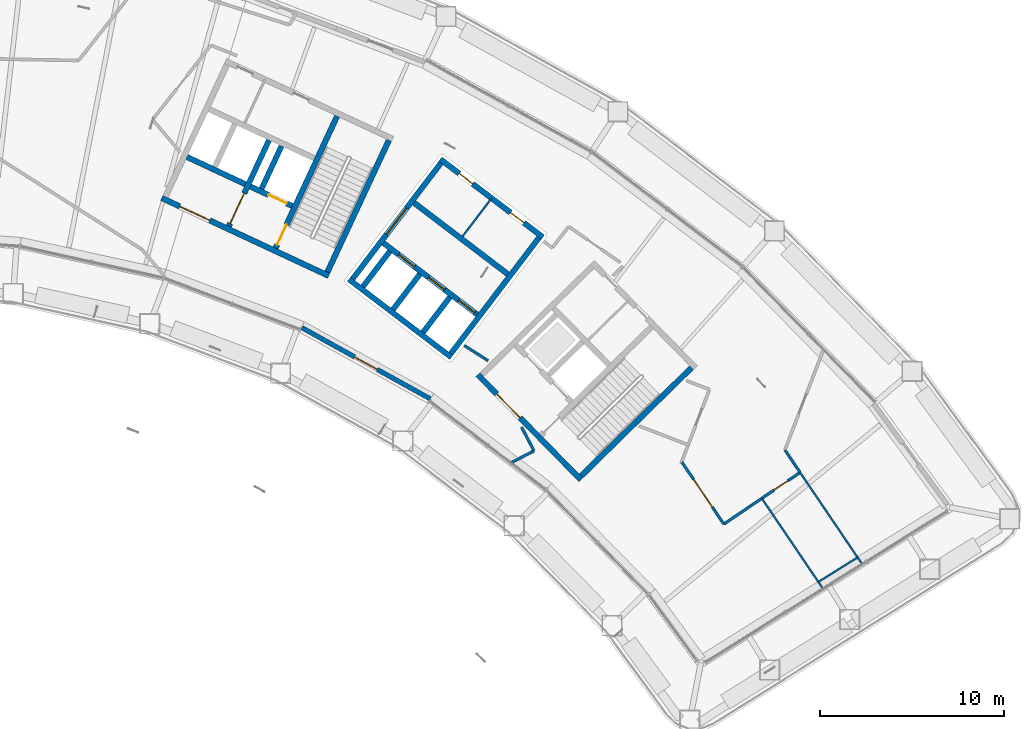
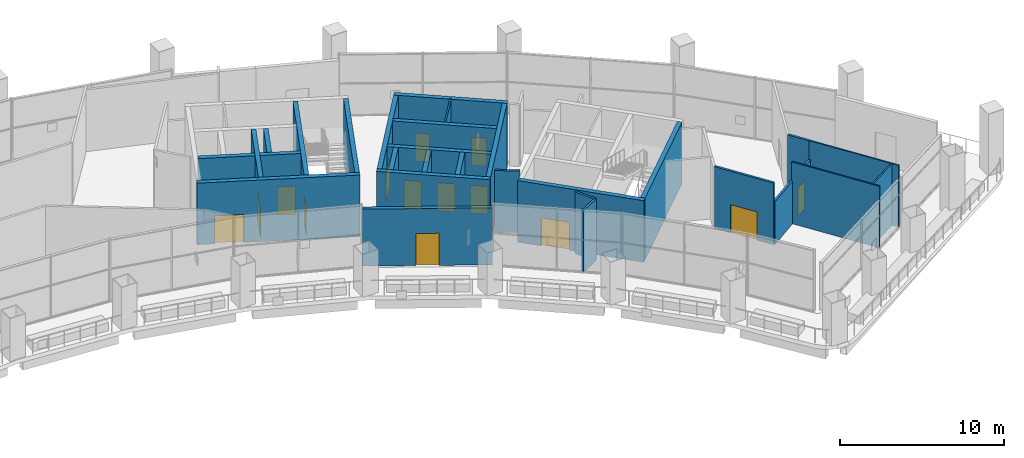
# One storey, part 18 of 28: 29 walls, 14 doors, 14 openings.
"""IFC4 building model written with IfcOpenShell, lengths in metres."""

import ifcopenshell
import ifcopenshell.guid

model = None  # the IFC model being written
_history = None  # IfcOwnerHistory: only IFC2X3 demands one
_inside = {}  # id of a spatial element -> (the spatial element, [elements in it])
_under = {}  # id of a project, library or spatial element -> (it, [spatial elements below it])
_declared = {}  # id of a project -> (the project, [libraries it declares])
_typed = {}  # id of a type object -> (the type object, [elements of that type])
_made_of = {}  # id of a material, layer set ... -> (it, [elements and type objects made of it])


def new_model(schema):
    """Start an empty IFC model of exactly this schema.

    Asked for "IFC4X3", IfcOpenShell would pick the latest addendum, in which some entities
    have other attributes; the version numbers below select the first issue.
    IFC2X3 requires an IfcOwnerHistory on every rooted entity: one is made here for all.
    """
    global model, _history
    if schema == "IFC4X3":
        model = ifcopenshell.file(schema_version=(4, 3, 0, 0))
    else:
        model = ifcopenshell.file(schema=schema)
    _inside.clear()
    _under.clear()
    _declared.clear()
    _typed.clear()
    _made_of.clear()
    _history = None
    if model.schema == "IFC2X3":
        org = make("IfcOrganization", Name="unknown")
        user = make(
            "IfcPersonAndOrganization",
            ThePerson=make("IfcPerson", FamilyName="unknown"),
            TheOrganization=org,
        )
        app = make(
            "IfcApplication",
            ApplicationDeveloper=org,
            Version="unknown",
            ApplicationFullName="unknown",
            ApplicationIdentifier="unknown",
        )
        _history = make(
            "IfcOwnerHistory",
            OwningUser=user,
            OwningApplication=app,
            ChangeAction="ADDED",
            CreationDate=0,
        )
    return model


def make(cls, **values):
    """One entity of the class cls with the attributes given. An attribute that is None is left unset."""
    return model.create_entity(
        cls, **{name: value for name, value in values.items() if value is not None}
    )


def rooted(cls, **values):
    """An entity with a GlobalId (a new one), such as an element, a storey or a relation."""
    return make(cls, GlobalId=ifcopenshell.guid.new(), OwnerHistory=_history, **values)


def si_unit(unit_type, name, prefix=None):
    """IfcSIUnit, for example si_unit("LENGTHUNIT", "METRE", prefix="MILLI")."""
    return make("IfcSIUnit", UnitType=unit_type, Prefix=prefix, Name=name)


def assignment(units):
    """IfcUnitAssignment: the units of a project."""
    return None if units is None else make("IfcUnitAssignment", Units=units)


def point(xyz):
    """IfcCartesianPoint."""
    return None if xyz is None else make("IfcCartesianPoint", Coordinates=xyz)


def direction(xyz):
    """IfcDirection."""
    return None if xyz is None else make("IfcDirection", DirectionRatios=xyz)


def frame(location, z_axis=None, x_axis=None):
    """IfcAxis2Placement3D, a coordinate frame: its origin and axes. An axis left out is left unset."""
    return make(
        "IfcAxis2Placement3D",
        Location=point(location),
        Axis=direction(z_axis),
        RefDirection=direction(x_axis),
    )


def frame_2d(location, x_axis=None):
    """IfcAxis2Placement2D, a coordinate frame in the plane: its origin and x axis."""
    return make(
        "IfcAxis2Placement2D", Location=point(location), RefDirection=direction(x_axis)
    )


def origin():
    """The frame at (0, 0, 0) with its axes left unset."""
    return frame((0.0, 0.0, 0.0))


def place(relative_to, where):
    """IfcLocalPlacement: puts the frame where relative to a parent placement (None: the world)."""
    return make(
        "IfcLocalPlacement", PlacementRelTo=relative_to, RelativePlacement=where
    )


def context(
    kind, dimensions, precision=None, world=None, true_north=None, identifier=None
):
    """IfcGeometricRepresentationContext, for example the 3D "Model" context."""
    return make(
        "IfcGeometricRepresentationContext",
        ContextIdentifier=identifier,
        ContextType=kind,
        CoordinateSpaceDimension=dimensions,
        Precision=precision,
        WorldCoordinateSystem=world,
        TrueNorth=true_north,
    )


def subcontext(parent, identifier, kind, view, scale=None):
    """IfcGeometricRepresentationSubContext, for example "Body" below "Model"."""
    return make(
        "IfcGeometricRepresentationSubContext",
        ContextIdentifier=identifier,
        ContextType=kind,
        ParentContext=parent,
        TargetScale=scale,
        TargetView=view,
    )


def project(units=None, contexts=None):
    """IfcProject with its units and contexts."""
    return rooted(
        "IfcProject",
        Name="project",
        RepresentationContexts=contexts,
        UnitsInContext=assignment(units),
    )


def spatial(cls, under=None, at=None, **own):
    """A site, building, storey or space (cls), placed at a placement, below another one or the project."""
    s = rooted(cls, ObjectPlacement=at, **own)
    if under is not None:
        _under.setdefault(under.id(), (under, []))[1].append(s)
    return s


def profile(cls, at=None, kind="AREA", **sizes):
    """A parametric profile (cls). Its sizes go by their IFC names, for example OverallWidth=200.0."""
    return make(cls, ProfileType=kind, Position=at, **sizes)


def rectangle(**sizes):
    """IfcRectangleProfileDef."""
    return profile("IfcRectangleProfileDef", **sizes)


def extrude(swept, where, along, depth):
    """IfcExtrudedAreaSolid: the profile swept, set in the frame where, extruded along a direction by depth."""
    return make(
        "IfcExtrudedAreaSolid",
        SweptArea=swept,
        Position=where,
        ExtrudedDirection=direction(along),
        Depth=depth,
    )


def shape(context_of_items, identifier, shape_type, items):
    """IfcShapeRepresentation: the items that make up one representation, for example the "Body"."""
    return make(
        "IfcShapeRepresentation",
        ContextOfItems=context_of_items,
        RepresentationIdentifier=identifier,
        RepresentationType=shape_type,
        Items=items,
    )


def material(Name=None, Category=None):
    """IfcMaterial."""
    return make("IfcMaterial", Name=Name, Category=Category)


def layer(
    of_material, thickness, ventilated=None, Name=None, Category=None, Priority=None
):
    """IfcMaterialLayer: one layer of a wall or slab, of a material (None: an air gap)."""
    return make(
        "IfcMaterialLayer",
        Material=of_material,
        LayerThickness=thickness,
        IsVentilated=ventilated,
        Name=Name,
        Category=Category,
        Priority=Priority,
    )


def layer_set(layers, Name=None):
    """IfcMaterialLayerSet."""
    return make("IfcMaterialLayerSet", MaterialLayers=layers, LayerSetName=Name)


def made_of(thing, what):
    """Note that an element or type object is made of a material, layer set ...; save() writes the relation."""
    if what is not None:
        _made_of.setdefault(what.id(), (what, []))[1].append(thing)
    return thing


def type_object(cls, material=None, **own):
    """A type object (cls), such as IfcWallType, which elements share."""
    return made_of(rooted(cls, **own), material)


def element(
    cls,
    number,
    at=None,
    inside=None,
    cuts=None,
    type_object=None,
    material=None,
    context=None,
    identifier="Body",
    shape_type=None,
    held_by="IfcProductDefinitionShape",
    body=None,
    shapes=None,
    **own,
):
    """One element of the class cls, such as IfcWall. Its Tag is "e" and its number.

    at: its placement. inside: the storey or other place that contains it. cuts: it is an
    opening in that element (IfcRelVoidsElement). A single representation is given by context,
    identifier, shape_type and body (its items); several are given by shapes. held_by: the class
    of the entity that holds the representations. save() writes the other relations.
    """
    e = rooted(cls, Tag="e%d" % number, ObjectPlacement=at, **own)
    if body is not None:
        shapes = [shape(context, identifier, shape_type, body)]
    if shapes is not None:
        e.Representation = make(held_by, Representations=shapes)
    if inside is not None:
        _inside.setdefault(inside.id(), (inside, []))[1].append(e)
    if cuts is not None:
        rooted(
            "IfcRelVoidsElement", RelatingBuildingElement=cuts, RelatedOpeningElement=e
        )
    if type_object is not None:
        _typed.setdefault(type_object.id(), (type_object, []))[1].append(e)
    return made_of(e, material)


def fill(opening, filler):
    """IfcRelFillsElement: the door or window that sits in an opening."""
    return rooted(
        "IfcRelFillsElement",
        RelatingOpeningElement=opening,
        RelatedBuildingElement=filler,
    )


def aggregate(whole, parts):
    """IfcRelAggregates: a whole, such as a stair, and the parts it consists of."""
    return rooted("IfcRelAggregates", RelatingObject=whole, RelatedObjects=parts)


def save(model, path):
    """Write the relations noted so far, then the file.

    IfcRelAggregates (storeys below a building ...), IfcRelContainedInSpatialStructure (elements
    in a storey), IfcRelDefinesByType, IfcRelAssociatesMaterial and IfcRelDeclares: one each for
    every whole, place, type object, material and project.
    """
    for whole, parts in _under.values():
        aggregate(whole, parts)
    for where, things in _inside.values():
        rooted(
            "IfcRelContainedInSpatialStructure",
            RelatedElements=things,
            RelatingStructure=where,
        )
    for kind, things in _typed.values():
        rooted("IfcRelDefinesByType", RelatedObjects=things, RelatingType=kind)
    for what, things in _made_of.values():
        rooted("IfcRelAssociatesMaterial", RelatedObjects=things, RelatingMaterial=what)
    for by, libraries in _declared.values():
        rooted("IfcRelDeclares", RelatingContext=by, RelatedDefinitions=libraries)
    model.write(path)


model = new_model("IFC4")

# Units and contexts
model_context = context("Model", 3, precision=1e-05, world=origin(), true_north=direction((0.0, 1.0)))
body_context = subcontext(model_context, "Body", "Model", "MODEL_VIEW")
ifc_project = project(units=[si_unit("LENGTHUNIT", "METRE"), si_unit("AREAUNIT", "SQUARE_METRE"), si_unit("VOLUMEUNIT", "CUBIC_METRE"), si_unit("PLANEANGLEUNIT", "RADIAN"), si_unit("MASSUNIT", "GRAM", prefix="KILO")], contexts=[model_context])

# Site, building, storey
site_placement = place(None, origin())
site = spatial("IfcSite", under=ifc_project, at=site_placement, CompositionType="ELEMENT")
building_placement = place(site_placement, origin())
building = spatial("IfcBuilding", under=site, at=building_placement, Name="Tuul Gate Civic Tower", CompositionType="ELEMENT")
storey_placement = place(building_placement, frame((0.0, 0.0, 128.699951171875)))
storey = spatial("IfcBuildingStorey", under=building, at=storey_placement, Name="Sky garden level 1", CompositionType="ELEMENT", Elevation=128.699951171875)

# Wall, opening, door
ifc_material_1 = material(Name="Concrete C50/60", Category="concrete")
ifc_layer_1 = layer(ifc_material_1, 0.300048828125)
ifc_layer_set_1 = layer_set([ifc_layer_1], Name="Concrete C50/60")
wall_type_1 = type_object("IfcWallType", Name="Core wall C50/60", PredefinedType="SHEAR", material=ifc_layer_set_1)
wall_1_placement = place(storey_placement, frame((48.22509765625, -18.327880859375, 0.0), z_axis=(0.0, 0.0, 1.0), x_axis=(-0.700021979774, 0.714121297703, 0.0)))
wall_1 = element("IfcWall", 1, at=wall_1_placement, inside=storey, type_object=wall_type_1, Name="Core wall", PredefinedType="SHEAR", context=body_context, shape_type="SweptSolid", body=[
    extrude(rectangle(XDim=8.0, YDim=0.300048828125, at=frame_2d((4.0, 0.0))), origin(), (0.0, 0.0, 1.0), 4.60009765625),
])
opening_1_placement = place(wall_1_placement, frame((4.72509765625, 0.0, 0.0)))
opening_1 = element("IfcOpeningElement", 2, at=opening_1_placement, cuts=wall_1, Name="Opening LB-E1-LOBBY-1", PredefinedType="OPENING", context=body_context, shape_type="SweptSolid", body=[
    extrude(rectangle(XDim=1.800048828125, YDim=2.10009765625, at=frame_2d((0.89990234375, 1.050048828125))), frame((0.0, 0.16015625, 0.0), z_axis=(0.0, -1.0, 0.0), x_axis=(1.0, 0.0, 0.0)), (0.0, 0.0, 1.0), 0.320068359375),
])
ifc_material_2 = material(Name="Steel", Category="steel")
door_type_1 = type_object("IfcDoorType", Name="Lobby door", OperationType="DOUBLE_DOOR_SINGLE_SWING", PredefinedType="DOOR", material=ifc_material_2)
door_1_placement = place(opening_1_placement, frame((1.800048828125, 0.0, 0.0), z_axis=(0.0, 0.0, 1.0), x_axis=(-1.0, 0.0, 0.0)))
door_1 = element("IfcDoor", 3, at=door_1_placement, inside=storey, type_object=door_type_1, Name="Lobby door E1-LOBBY", OperationType="DOUBLE_DOOR_SINGLE_SWING", OverallHeight=2.10009765625, OverallWidth=1.800048828125, PredefinedType="DOOR", context=body_context, shape_type="SweptSolid", body=[
    extrude(rectangle(XDim=1.800048828125, YDim=2.10009765625, at=frame_2d((0.900146484375, 1.050048828125))), frame((0.0, 0.02490234375, 0.0), z_axis=(0.0, -1.0, 0.0), x_axis=(1.0, 0.0, 0.0)), (0.0, 0.0, 1.0), 0.050048828125),
])
fill(opening_1, door_1)

# Wall
wall_2_placement = place(storey_placement, frame((48.227294921875, -18.115966796875, 0.0), z_axis=(0.0, 0.0, 1.0), x_axis=(0.714105315431, 0.700038283577, 0.0)))
element("IfcWall", 4, at=wall_2_placement, inside=storey, type_object=wall_type_1, Name="Core wall", PredefinedType="SHEAR", context=body_context, shape_type="SweptSolid", body=[
    extrude(rectangle(XDim=8.400146484375, YDim=0.300048828125, at=frame_2d((4.2001953125, 0.0))), origin(), (0.0, 0.0, 1.0), 4.60009765625),
])

# Wall, opening, door
wall_3_placement = place(storey_placement, frame((34.5283203125, -7.25, 0.0), z_axis=(0.0, 0.0, 1.0), x_axis=(-0.906310338845, 0.422612789327, 0.0)))
wall_3 = element("IfcWall", 5, at=wall_3_placement, inside=storey, type_object=wall_type_1, Name="Core wall", PredefinedType="SHEAR", context=body_context, shape_type="SweptSolid", body=[
    extrude(rectangle(XDim=9.999755859375, YDim=0.300048828125, at=frame_2d((5.0, 0.0))), origin(), (0.0, 0.0, 1.0), 4.60009765625),
])
opening_2_placement = place(wall_3_placement, frame((7.125, 0.0, 0.0)))
opening_2 = element("IfcOpeningElement", 6, at=opening_2_placement, cuts=wall_3, Name="Opening LB-E3-LOBBY-1", PredefinedType="OPENING", context=body_context, shape_type="SweptSolid", body=[
    extrude(rectangle(XDim=1.800048828125, YDim=2.10009765625, at=frame_2d((0.89990234375, 1.050048828125))), frame((0.0, 0.16015625, 0.0), z_axis=(0.0, -1.0, 0.0), x_axis=(1.0, 0.0, 0.0)), (0.0, 0.0, 1.0), 0.320068359375),
])
door_2_placement = place(opening_2_placement, origin())
door_2 = element("IfcDoor", 7, at=door_2_placement, inside=storey, type_object=door_type_1, Name="Lobby door E3-LOBBY", OperationType="DOUBLE_DOOR_SINGLE_SWING", OverallHeight=2.10009765625, OverallWidth=1.800048828125, PredefinedType="DOOR", context=body_context, shape_type="SweptSolid", body=[
    extrude(rectangle(XDim=1.800048828125, YDim=2.10009765625, at=frame_2d((0.89990234375, 1.050048828125))), frame((0.0, 0.02490234375, 0.0), z_axis=(0.0, -1.0, 0.0), x_axis=(1.0, 0.0, 0.0)), (0.0, 0.0, 1.0), 0.050048828125),
])
fill(opening_2, door_2)

wall_4_placement = place(storey_placement, frame((32.545654296875, -3.456787109375, 0.0), z_axis=(0.0, 0.0, 1.0), x_axis=(-0.906300357825, 0.42263419337, 0.0)))
wall_4 = element("IfcWall", 8, at=wall_4_placement, inside=storey, type_object=wall_type_1, Name="Core wall", PredefinedType="SHEAR", context=body_context, shape_type="SweptSolid", body=[
    extrude(rectangle(XDim=2.500244140625, YDim=0.300048828125, at=frame_2d((1.25, 0.0))), origin(), (0.0, 0.0, 1.0), 4.60009765625),
])
opening_3_placement = place(wall_4_placement, frame((0.324951171875, 0.0, 0.0)))
opening_3 = element("IfcOpeningElement", 9, at=opening_3_placement, cuts=wall_4, Name="Opening LD-FF-2", PredefinedType="OPENING", context=body_context, shape_type="SweptSolid", body=[
    extrude(rectangle(XDim=1.10009765625, YDim=2.10009765625, at=frame_2d((0.550048828125, 1.050048828125))), frame((0.0, 0.16015625, 0.0), z_axis=(0.0, -1.0, 0.0), x_axis=(1.0, 0.0, 0.0)), (0.0, 0.0, 1.0), 0.320068359375),
])
ifc_material_3 = material(Name="Stainless steel", Category="steel")
door_type_2 = type_object("IfcDoorType", Name="Landing door", OperationType="DOUBLE_DOOR_SLIDING", PredefinedType="DOOR", material=ifc_material_3)
door_3_placement = place(opening_3_placement, origin())
door_3 = element("IfcDoor", 10, at=door_3_placement, inside=storey, type_object=door_type_2, Name="Fire-fighting lift FF-2 landing door", OperationType="DOUBLE_DOOR_SLIDING", OverallHeight=2.10009765625, OverallWidth=1.10009765625, PredefinedType="DOOR", context=body_context, shape_type="SweptSolid", body=[
    extrude(rectangle(XDim=1.10009765625, YDim=2.10009765625, at=frame_2d((0.550048828125, 1.050048828125))), frame((0.0, 0.02490234375, 0.0), z_axis=(0.0, -1.0, 0.0), x_axis=(1.0, 0.0, 0.0)), (0.0, 0.0, 1.0), 0.050048828125),
])
fill(opening_3, door_3)

# Walls
wall_5_placement = place(storey_placement, frame((30.0078125, -2.2734375, 0.0), z_axis=(0.0, 0.0, 1.0), x_axis=(-0.90630071767, 0.422633421716, 0.0)))
element("IfcWall", 11, at=wall_5_placement, inside=storey, type_object=wall_type_1, Name="Core wall", PredefinedType="SHEAR", context=body_context, shape_type="SweptSolid", body=[
    extrude(rectangle(XDim=3.5, YDim=0.300048828125, at=frame_2d((1.75, 0.0))), origin(), (0.0, 0.0, 1.0), 4.60009765625),
])
wall_6_placement = place(storey_placement, frame((34.455810546875, -7.05078125, 0.0), z_axis=(0.0, 0.0, 1.0), x_axis=(0.422570768258, 0.906329932096, 0.0)))
element("IfcWall", 12, at=wall_6_placement, inside=storey, type_object=wall_type_1, Name="Core wall", PredefinedType="SHEAR", context=body_context, shape_type="SweptSolid", body=[
    extrude(rectangle(XDim=7.900146484375, YDim=0.300048828125, at=frame_2d((3.9501953125, 0.0))), origin(), (0.0, 0.0, 1.0), 4.60009765625),
])

# Wall, opening, door
wall_7_placement = place(storey_placement, frame((31.646240234375, -5.740478515625, 0.0), z_axis=(0.0, 0.0, 1.0), x_axis=(0.422582604137, 0.906324413596, 0.0)))
wall_7 = element("IfcWall", 13, at=wall_7_placement, inside=storey, type_object=wall_type_1, Name="Core wall", PredefinedType="SHEAR", context=body_context, shape_type="SweptSolid", body=[
    extrude(rectangle(XDim=7.89990234375, YDim=0.300048828125, at=frame_2d((3.949951171875, 0.0))), origin(), (0.0, 0.0, 1.0), 4.60009765625),
])
opening_4_placement = place(wall_7_placement, frame((0.199951171875, 0.0, 0.0)))
opening_4 = element("IfcOpeningElement", 14, at=opening_4_placement, cuts=wall_7, Name="Opening SD-ST-4", PredefinedType="OPENING", context=body_context, shape_type="SweptSolid", body=[
    extrude(rectangle(XDim=1.199951171875, YDim=2.10009765625, at=frame_2d((0.60009765625, 1.050048828125))), frame((0.0, 0.16015625, 0.0), z_axis=(0.0, -1.0, 0.0), x_axis=(1.0, 0.0, 0.0)), (0.0, 0.0, 1.0), 0.320068359375),
])
ifc_material_4 = material(Name="Steel", Category="steel")
door_type_3 = type_object("IfcDoorType", Name="Stair door", OperationType="NOTDEFINED", PredefinedType="DOOR", material=ifc_material_4)
door_4_placement = place(opening_4_placement, origin())
door_4 = element("IfcDoor", 15, at=door_4_placement, inside=storey, type_object=door_type_3, Name="Stair door ST-4", OperationType="SINGLE_SWING_LEFT", OverallHeight=2.10009765625, OverallWidth=1.199951171875, PredefinedType="DOOR", context=body_context, shape_type="SweptSolid", body=[
    extrude(rectangle(XDim=1.199951171875, YDim=2.10009765625, at=frame_2d((0.60009765625, 1.050048828125))), frame((0.0, 0.02490234375, 0.0), z_axis=(0.0, -1.0, 0.0), x_axis=(1.0, 0.0, 0.0)), (0.0, 0.0, 1.0), 0.050048828125),
])
fill(opening_4, door_4)

# Wall
wall_8_placement = place(storey_placement, frame((30.886962890625, -2.517822265625, 0.0), z_axis=(0.0, 0.0, 1.0), x_axis=(0.422612891016, 0.906310291427, 0.0)))
element("IfcWall", 16, at=wall_8_placement, inside=storey, type_object=wall_type_1, Name="Core wall", PredefinedType="SHEAR", context=body_context, shape_type="SweptSolid", body=[
    extrude(rectangle(XDim=2.550048828125, YDim=0.300048828125, at=frame_2d((1.27490234375, 0.0))), origin(), (0.0, 0.0, 1.0), 4.60009765625),
])

# Wall, opening, door
wall_9_placement = place(storey_placement, frame((29.108642578125, -4.557373046875, 0.0), z_axis=(0.0, 0.0, 1.0), x_axis=(0.422566235356, 0.90633204552, 0.0)))
wall_9 = element("IfcWall", 17, at=wall_9_placement, inside=storey, type_object=wall_type_1, Name="Core wall", PredefinedType="SHEAR", context=body_context, shape_type="SweptSolid", body=[
    extrude(rectangle(XDim=5.150146484375, YDim=0.300048828125, at=frame_2d((2.5751953125, 0.0))), origin(), (0.0, 0.0, 1.0), 4.60009765625),
])
opening_5_placement = place(wall_9_placement, frame((0.175048828125, 0.0, 0.0)))
opening_5 = element("IfcOpeningElement", 18, at=opening_5_placement, cuts=wall_9, Name="Opening LB-E3-FLOBBY-1", PredefinedType="OPENING", context=body_context, shape_type="SweptSolid", body=[
    extrude(rectangle(XDim=1.800048828125, YDim=2.10009765625, at=frame_2d((0.89990234375, 1.050048828125))), frame((0.0, 0.16015625, 0.0), z_axis=(0.0, -1.0, 0.0), x_axis=(1.0, 0.0, 0.0)), (0.0, 0.0, 1.0), 0.320068359375),
])
door_5_placement = place(opening_5_placement, frame((1.800048828125, 0.0, 0.0), z_axis=(0.0, 0.0, 1.0), x_axis=(-1.0, 0.0, 0.0)))
door_5 = element("IfcDoor", 19, at=door_5_placement, inside=storey, type_object=door_type_1, Name="Lobby door E3-FLOBBY", OperationType="DOUBLE_DOOR_SINGLE_SWING", OverallHeight=2.10009765625, OverallWidth=1.800048828125, PredefinedType="DOOR", context=body_context, shape_type="SweptSolid", body=[
    extrude(rectangle(XDim=1.800048828125, YDim=2.10009765625, at=frame_2d((0.900146484375, 1.050048828125))), frame((0.0, 0.02490234375, 0.0), z_axis=(0.0, -1.0, 0.0), x_axis=(1.0, 0.0, 0.0)), (0.0, 0.0, 1.0), 0.050048828125),
])
fill(opening_5, door_5)

# Walls
ifc_material_5 = material(Name="Gypsum board partition")
ifc_layer_2 = layer(ifc_material_5, 0.14990234375)
ifc_layer_set_2 = layer_set([ifc_layer_2], Name="Gypsum board partition")
wall_type_2 = type_object("IfcWallType", Name="Corridor wall P150", PredefinedType="PARTITIONING", material=ifc_layer_set_2)
wall_10_placement = place(storey_placement, frame((59.2998046875, -16.71240234375, 0.0), z_axis=(0.0, 0.0, 1.0), x_axis=(0.560505298607, -0.828150837851, 0.0)))
element("IfcWall", 20, at=wall_10_placement, inside=storey, type_object=wall_type_2, Name="p002", PredefinedType="PARTITIONING", context=body_context, shape_type="SweptSolid", body=[
    extrude(rectangle(XDim=1.43310546875, YDim=0.14990234375, at=frame_2d((0.716552734375, 0.0))), origin(), (0.0, 0.0, 1.0), 4.60009765625),
])
wall_11_placement = place(storey_placement, frame((41.877685546875, -11.025390625, 0.0), z_axis=(0.0, 0.0, 1.0), x_axis=(0.843583552219, -0.536997942664, 0.0)))
element("IfcWall", 21, at=wall_11_placement, inside=storey, type_object=wall_type_2, Name="p039", PredefinedType="PARTITIONING", context=body_context, shape_type="SweptSolid", body=[
    extrude(rectangle(XDim=1.548095703125, YDim=0.14990234375, at=frame_2d((0.77392578125, 0.0))), origin(), (0.0, 0.0, 1.0), 4.60009765625),
])

# Wall, opening, door
wall_12_placement = place(storey_placement, frame((53.704833984375, -17.366943359375, 0.0), z_axis=(0.0, 0.0, 1.0), x_axis=(0.560614538452, -0.828076892128, 0.0)))
wall_12 = element("IfcWall", 22, at=wall_12_placement, inside=storey, type_object=wall_type_2, Name="p048", PredefinedType="PARTITIONING", context=body_context, shape_type="SweptSolid", body=[
    extrude(rectangle(XDim=4.0673828125, YDim=0.14990234375, at=frame_2d((2.03369140625, 0.0))), origin(), (0.0, 0.0, 1.0), 4.60009765625),
])
opening_6_placement = place(wall_12_placement, frame((1.1337890625, 0.0, 0.0)))
opening_6 = element("IfcOpeningElement", 23, at=opening_6_placement, cuts=wall_12, Name="Opening J-D13", PredefinedType="OPENING", context=body_context, shape_type="SweptSolid", body=[
    extrude(rectangle(XDim=1.800048828125, YDim=2.10009765625, at=frame_2d((0.89990234375, 1.050048828125))), frame((0.0, 0.0849609375, 0.0), z_axis=(0.0, -1.0, 0.0), x_axis=(1.0, 0.0, 0.0)), (0.0, 0.0, 1.0), 0.169921875),
])
ifc_material_6 = material(Name="Timber door leaf, double", Category="wood")
door_type_4 = type_object("IfcDoorType", Name="Door D18", OperationType="DOUBLE_DOOR_SINGLE_SWING", PredefinedType="DOOR", material=ifc_material_6)
door_6_placement = place(opening_6_placement, frame((1.800048828125, 0.0, 0.0), z_axis=(0.0, 0.0, 1.0), x_axis=(-1.0, 0.0, 0.0)))
door_6 = element("IfcDoor", 24, at=door_6_placement, inside=storey, type_object=door_type_4, Name="Door J-D13", OperationType="DOUBLE_DOOR_SINGLE_SWING", OverallHeight=2.10009765625, OverallWidth=1.800048828125, PredefinedType="DOOR", context=body_context, shape_type="SweptSolid", body=[
    extrude(rectangle(XDim=1.800048828125, YDim=2.10009765625, at=frame_2d((0.900146484375, 1.050048828125))), frame((0.0, 0.02490234375, 0.0), z_axis=(0.0, -1.0, 0.0), x_axis=(1.0, 0.0, 0.0)), (0.0, 0.0, 1.0), 0.050048828125),
])
fill(opening_6, door_6)

# Walls
wall_13_placement = place(storey_placement, frame((45.00146484375, -15.468017578125, 0.0), z_axis=(0.0, 0.0, 1.0), x_axis=(0.464549364112, -0.885547225338, 0.0)))
element("IfcWall", 25, at=wall_13_placement, inside=storey, type_object=wall_type_2, Name="p049", PredefinedType="PARTITIONING", context=body_context, shape_type="SweptSolid", body=[
    extrude(rectangle(XDim=1.4462890625, YDim=0.14990234375, at=frame_2d((0.72314453125, 0.0))), origin(), (0.0, 0.0, 1.0), 4.60009765625),
])
wall_14_placement = place(storey_placement, frame((44.378662109375, -17.427978515625, 0.0), z_axis=(0.0, 0.0, 1.0), x_axis=(0.885540468277, 0.464562244531, 0.0)))
element("IfcWall", 26, at=wall_14_placement, inside=storey, type_object=wall_type_2, Name="p050", PredefinedType="PARTITIONING", context=body_context, shape_type="SweptSolid", body=[
    extrude(rectangle(XDim=1.4619140625, YDim=0.14990234375, at=frame_2d((0.73095703125, 0.0))), origin(), (0.0, 0.0, 1.0), 4.60009765625),
])

# Wall, opening, door
ifc_material_7 = material(Name="Gypsum board partition")
ifc_layer_3 = layer(ifc_material_7, 0.14990234375)
ifc_layer_set_3 = layer_set([ifc_layer_3], Name="Gypsum board partition")
wall_type_3 = type_object("IfcWallType", Name="Corridor wall P150 3200 HIGH", PredefinedType="PARTITIONING", material=ifc_layer_set_3)
wall_15_placement = place(storey_placement, frame((55.97900390625, -20.72607421875, 0.0), z_axis=(0.0, 0.0, 1.0), x_axis=(0.828093812513, 0.560589544746, 0.0)))
wall_15 = element("IfcWall", 27, at=wall_15_placement, inside=storey, type_object=wall_type_3, Name="p004", PredefinedType="PARTITIONING", context=body_context, shape_type="SweptSolid", body=[
    extrude(rectangle(XDim=5.010498046875, YDim=0.14990234375, at=frame_2d((2.50537109375, 0.0))), origin(), (0.0, 0.0, 1.0), 3.199951171875),
])
opening_7_placement = place(wall_15_placement, frame((3.2998046875, 0.0, 0.0)))
opening_7 = element("IfcOpeningElement", 28, at=opening_7_placement, cuts=wall_15, Name="Opening J-D04", PredefinedType="OPENING", context=body_context, shape_type="SweptSolid", body=[
    extrude(rectangle(XDim=0.89990234375, YDim=2.10009765625, at=frame_2d((0.449951171875, 1.050048828125))), frame((0.0, 0.0849609375, 0.0), z_axis=(0.0, -1.0, 0.0), x_axis=(1.0, 0.0, 0.0)), (0.0, 0.0, 1.0), 0.169921875),
])
ifc_material_8 = material(Name="Timber door leaf", Category="wood")
door_type_5 = type_object("IfcDoorType", Name="Door D09", OperationType="NOTDEFINED", PredefinedType="DOOR", material=ifc_material_8)
door_7_placement = place(opening_7_placement, frame((0.89990234375, 0.0, 0.0), z_axis=(0.0, 0.0, 1.0), x_axis=(-1.0, 0.0, 0.0)))
door_7 = element("IfcDoor", 29, at=door_7_placement, inside=storey, type_object=door_type_5, Name="Door J-D04", OperationType="SINGLE_SWING_LEFT", OverallHeight=2.10009765625, OverallWidth=0.89990234375, PredefinedType="DOOR", context=body_context, shape_type="SweptSolid", body=[
    extrude(rectangle(XDim=0.89990234375, YDim=2.10009765625, at=frame_2d((0.449951171875, 1.050048828125))), frame((0.0, 0.02490234375, 0.0), z_axis=(0.0, -1.0, 0.0), x_axis=(1.0, 0.0, 0.0)), (0.0, 0.0, 1.0), 0.050048828125),
])
fill(opening_7, door_7)

ifc_material_9 = material(Name="Precast concrete C40/50", Category="concrete")
ifc_layer_4 = layer(ifc_material_9, 0.25)
ifc_layer_set_4 = layer_set([ifc_layer_4], Name="Precast concrete C40/50")
wall_type_4 = type_object("IfcWallType", Name="External wall", PredefinedType="STANDARD", material=ifc_layer_set_4)
wall_16_placement = place(storey_placement, frame((33.071533203125, -10.062744140625, 0.0), z_axis=(0.0, 0.0, 1.0), x_axis=(0.874645285979, -0.484763471927, 0.0)))
wall_16 = element("IfcWall", 30, at=wall_16_placement, inside=storey, type_object=wall_type_4, Name="External wall", PredefinedType="STANDARD", context=body_context, shape_type="SweptSolid", body=[
    extrude(rectangle(XDim=7.968994140625, YDim=0.25, at=frame_2d((3.984375, 0.0))), origin(), (0.0, 0.0, 1.0), 4.25),
])
opening_8_placement = place(wall_16_placement, frame((3.284423828125, 0.0, 0.0)))
opening_8 = element("IfcOpeningElement", 31, at=opening_8_placement, cuts=wall_16, Name="Opening TD", PredefinedType="OPENING", context=body_context, shape_type="SweptSolid", body=[
    extrude(rectangle(XDim=1.39990234375, YDim=2.39990234375, at=frame_2d((0.699951171875, 1.199951171875))), frame((0.0, 0.135009765625, 0.0), z_axis=(0.0, -1.0, 0.0), x_axis=(1.0, 0.0, 0.0)), (0.0, 0.0, 1.0), 0.27001953125),
])
ifc_material_10 = material(Name="Glazed aluminium", Category="aluminium")
door_type_6 = type_object("IfcDoorType", Name="Terrace door", OperationType="DOUBLE_DOOR_SINGLE_SWING", PredefinedType="DOOR", material=ifc_material_10)
door_8_placement = place(opening_8_placement, frame((1.39990234375, 0.0, 0.0), z_axis=(0.0, 0.0, 1.0), x_axis=(-1.0, 0.0, 0.0)))
door_8 = element("IfcDoor", 32, at=door_8_placement, inside=storey, type_object=door_type_6, Name="Terrace door", OperationType="DOUBLE_DOOR_SINGLE_SWING", OverallHeight=2.39990234375, OverallWidth=1.39990234375, PredefinedType="DOOR", context=body_context, shape_type="SweptSolid", body=[
    extrude(rectangle(XDim=1.39990234375, YDim=2.39990234375, at=frame_2d((0.699951171875, 1.199951171875))), frame((0.0, 0.02490234375, 0.0), z_axis=(0.0, -1.0, 0.0), x_axis=(1.0, 0.0, 0.0)), (0.0, 0.0, 1.0), 0.050048828125),
])
fill(opening_8, door_8)

# Wall
ifc_material_11 = material(Name="Concrete C40/50", Category="concrete")
ifc_layer_5 = layer(ifc_material_11, 0.300048828125)
ifc_layer_set_5 = layer_set([ifc_layer_5], Name="Concrete C40/50")
wall_type_5 = type_object("IfcWallType", Name="Lift shaft wall C40/50", PredefinedType="STANDARD", material=ifc_layer_set_5)
wall_17_placement = place(storey_placement, frame((41.19189453125, -11.677734375, -0.300048828125), z_axis=(0.0, 0.0, 1.0), x_axis=(-0.795563000331, 0.605870871147, 0.0)))
element("IfcWall", 33, at=wall_17_placement, inside=storey, type_object=wall_type_5, Name="Shaft wall", PredefinedType="STANDARD", context=body_context, shape_type="SweptSolid", body=[
    extrude(rectangle(XDim=7.000244140625, YDim=0.300048828125, at=frame_2d((3.5, 0.0))), origin(), (0.0, 0.0, 1.0), 4.900146484375),
])

# Wall, openings, doors
wall_18_placement = place(storey_placement, frame((42.5888671875, -9.34765625, -0.300048828125), z_axis=(0.0, 0.0, 1.0), x_axis=(-0.795584062101, 0.605843214149, 0.0)))
wall_18 = element("IfcWall", 34, at=wall_18_placement, inside=storey, type_object=wall_type_5, Name="Shaft wall", PredefinedType="STANDARD", context=body_context, shape_type="SweptSolid", body=[
    extrude(rectangle(XDim=6.400146484375, YDim=0.300048828125, at=frame_2d((3.2001953125, 0.0))), origin(), (0.0, 0.0, 1.0), 4.900146484375),
])
opening_9_placement = place(wall_18_placement, frame((0.175048828125, 0.0, 0.300048828125)))
opening_9 = element("IfcOpeningElement", 35, at=opening_9_placement, cuts=wall_18, Name="Opening LD-L1", PredefinedType="OPENING", context=body_context, shape_type="SweptSolid", body=[
    extrude(rectangle(XDim=1.10009765625, YDim=2.10009765625, at=frame_2d((0.550048828125, 1.050048828125))), frame((0.0, 0.16015625, 0.0), z_axis=(0.0, -1.0, 0.0), x_axis=(1.0, 0.0, 0.0)), (0.0, 0.0, 1.0), 0.320068359375),
])
opening_10_placement = place(wall_18_placement, frame((2.22509765625, 0.0, 0.300048828125)))
opening_10 = element("IfcOpeningElement", 36, at=opening_10_placement, cuts=wall_18, Name="Opening LD-L2", PredefinedType="OPENING", context=body_context, shape_type="SweptSolid", body=[
    extrude(rectangle(XDim=1.10009765625, YDim=2.10009765625, at=frame_2d((0.550048828125, 1.050048828125))), frame((0.0, 0.16015625, 0.0), z_axis=(0.0, -1.0, 0.0), x_axis=(1.0, 0.0, 0.0)), (0.0, 0.0, 1.0), 0.320068359375),
])
opening_11_placement = place(wall_18_placement, frame((4.27490234375, 0.0, 0.300048828125)))
opening_11 = element("IfcOpeningElement", 37, at=opening_11_placement, cuts=wall_18, Name="Opening LD-L3", PredefinedType="OPENING", context=body_context, shape_type="SweptSolid", body=[
    extrude(rectangle(XDim=1.10009765625, YDim=2.10009765625, at=frame_2d((0.550048828125, 1.050048828125))), frame((0.0, 0.16015625, 0.0), z_axis=(0.0, -1.0, 0.0), x_axis=(1.0, 0.0, 0.0)), (0.0, 0.0, 1.0), 0.320068359375),
])
door_9_placement = place(opening_9_placement, origin())
door_9 = element("IfcDoor", 38, at=door_9_placement, inside=storey, type_object=door_type_2, Name="Low-rise lift L1 landing door", OperationType="DOUBLE_DOOR_SLIDING", OverallHeight=2.10009765625, OverallWidth=1.10009765625, PredefinedType="DOOR", context=body_context, shape_type="SweptSolid", body=[
    extrude(rectangle(XDim=1.10009765625, YDim=2.10009765625, at=frame_2d((0.550048828125, 1.050048828125))), frame((0.0, 0.02490234375, 0.0), z_axis=(0.0, -1.0, 0.0), x_axis=(1.0, 0.0, 0.0)), (0.0, 0.0, 1.0), 0.050048828125),
])
fill(opening_9, door_9)
door_10_placement = place(opening_10_placement, origin())
door_10 = element("IfcDoor", 39, at=door_10_placement, inside=storey, type_object=door_type_2, Name="Low-rise lift L2 landing door", OperationType="DOUBLE_DOOR_SLIDING", OverallHeight=2.10009765625, OverallWidth=1.10009765625, PredefinedType="DOOR", context=body_context, shape_type="SweptSolid", body=[
    extrude(rectangle(XDim=1.10009765625, YDim=2.10009765625, at=frame_2d((0.550048828125, 1.050048828125))), frame((0.0, 0.02490234375, 0.0), z_axis=(0.0, -1.0, 0.0), x_axis=(1.0, 0.0, 0.0)), (0.0, 0.0, 1.0), 0.050048828125),
])
fill(opening_10, door_10)
door_11_placement = place(opening_11_placement, origin())
door_11 = element("IfcDoor", 40, at=door_11_placement, inside=storey, type_object=door_type_2, Name="Low-rise lift L3 landing door", OperationType="DOUBLE_DOOR_SLIDING", OverallHeight=2.10009765625, OverallWidth=1.10009765625, PredefinedType="DOOR", context=body_context, shape_type="SweptSolid", body=[
    extrude(rectangle(XDim=1.10009765625, YDim=2.10009765625, at=frame_2d((0.550048828125, 1.050048828125))), frame((0.0, 0.02490234375, 0.0), z_axis=(0.0, -1.0, 0.0), x_axis=(1.0, 0.0, 0.0)), (0.0, 0.0, 1.0), 0.050048828125),
])
fill(opening_11, door_11)

# Wall
wall_19_placement = place(storey_placement, frame((44.254638671875, -7.15966796875, -0.300048828125), z_axis=(0.0, 0.0, 1.0), x_axis=(-0.795565675562, 0.605867358312, 0.0)))
element("IfcWall", 41, at=wall_19_placement, inside=storey, type_object=wall_type_5, Name="Shaft wall", PredefinedType="STANDARD", context=body_context, shape_type="SweptSolid", body=[
    extrude(rectangle(XDim=6.400146484375, YDim=0.300048828125, at=frame_2d((3.2001953125, 0.0))), origin(), (0.0, 0.0, 1.0), 4.900146484375),
])

# Wall, openings, doors
wall_20_placement = place(storey_placement, frame((46.1591796875, -5.1533203125, -0.300048828125), z_axis=(0.0, 0.0, 1.0), x_axis=(-0.795579811045, 0.605848796531, 0.0)))
wall_20 = element("IfcWall", 42, at=wall_20_placement, inside=storey, type_object=wall_type_5, Name="Shaft wall", PredefinedType="STANDARD", context=body_context, shape_type="SweptSolid", body=[
    extrude(rectangle(XDim=7.0, YDim=0.300048828125, at=frame_2d((3.5, 0.0))), origin(), (0.0, 0.0, 1.0), 4.900146484375),
])
opening_12_placement = place(wall_20_placement, frame((1.300048828125, 0.0, 0.0)))
opening_12 = element("IfcOpeningElement", 43, at=opening_12_placement, cuts=wall_20, Name="Opening J-D16", PredefinedType="OPENING", context=body_context, shape_type="SweptSolid", body=[
    extrude(rectangle(XDim=0.89990234375, YDim=2.10009765625, at=frame_2d((0.449951171875, 1.050048828125))), frame((0.0, 0.16015625, 0.0), z_axis=(0.0, -1.0, 0.0), x_axis=(1.0, 0.0, 0.0)), (0.0, 0.0, 1.0), 0.320068359375),
])
opening_13_placement = place(wall_20_placement, frame((4.800048828125, 0.0, 0.0)))
opening_13 = element("IfcOpeningElement", 44, at=opening_13_placement, cuts=wall_20, Name="Opening J-D17", PredefinedType="OPENING", context=body_context, shape_type="SweptSolid", body=[
    extrude(rectangle(XDim=0.89990234375, YDim=2.10009765625, at=frame_2d((0.449951171875, 1.050048828125))), frame((0.0, 0.16015625, 0.0), z_axis=(0.0, -1.0, 0.0), x_axis=(1.0, 0.0, 0.0)), (0.0, 0.0, 1.0), 0.320068359375),
])
door_12_placement = place(opening_12_placement, origin())
door_12 = element("IfcDoor", 45, at=door_12_placement, inside=storey, type_object=door_type_5, Name="Door J-D16", OperationType="SINGLE_SWING_LEFT", OverallHeight=2.10009765625, OverallWidth=0.89990234375, PredefinedType="DOOR", context=body_context, shape_type="SweptSolid", body=[
    extrude(rectangle(XDim=0.89990234375, YDim=2.10009765625, at=frame_2d((0.449951171875, 1.050048828125))), frame((0.0, 0.02490234375, 0.0), z_axis=(0.0, -1.0, 0.0), x_axis=(1.0, 0.0, 0.0)), (0.0, 0.0, 1.0), 0.050048828125),
])
fill(opening_12, door_12)
door_13_placement = place(opening_13_placement, origin())
door_13 = element("IfcDoor", 46, at=door_13_placement, inside=storey, type_object=door_type_5, Name="Door J-D17", OperationType="SINGLE_SWING_RIGHT", OverallHeight=2.10009765625, OverallWidth=0.89990234375, PredefinedType="DOOR", context=body_context, shape_type="SweptSolid", body=[
    extrude(rectangle(XDim=0.89990234375, YDim=2.10009765625, at=frame_2d((0.449951171875, 1.050048828125))), frame((0.0, 0.02490234375, 0.0), z_axis=(0.0, -1.0, 0.0), x_axis=(1.0, 0.0, 0.0)), (0.0, 0.0, 1.0), 0.050048828125),
])
fill(opening_13, door_13)

# Walls
wall_21_placement = place(storey_placement, frame((41.163330078125, -11.46728515625, -0.300048828125), z_axis=(0.0, 0.0, 1.0), x_axis=(0.605784332699, 0.795628897324, 0.0)))
element("IfcWall", 47, at=wall_21_placement, inside=storey, type_object=wall_type_5, Name="Shaft wall", PredefinedType="STANDARD", context=body_context, shape_type="SweptSolid", body=[
    extrude(rectangle(XDim=7.89990234375, YDim=0.300048828125, at=frame_2d((3.949951171875, 0.0))), origin(), (0.0, 0.0, 1.0), 4.900146484375),
])
wall_22_placement = place(storey_placement, frame((39.65185546875, -10.31640625, -0.300048828125), z_axis=(0.0, 0.0, 1.0), x_axis=(0.605745892068, 0.79565816419, 0.0)))
element("IfcWall", 48, at=wall_22_placement, inside=storey, type_object=wall_type_5, Name="Shaft wall", PredefinedType="STANDARD", context=body_context, shape_type="SweptSolid", body=[
    extrude(rectangle(XDim=2.400146484375, YDim=0.300048828125, at=frame_2d((1.2001953125, 0.0))), origin(), (0.0, 0.0, 1.0), 4.900146484375),
])
wall_23_placement = place(storey_placement, frame((38.02099609375, -9.07421875, -0.300048828125), z_axis=(0.0, 0.0, 1.0), x_axis=(0.605730519254, 0.795669867498, 0.0)))
element("IfcWall", 49, at=wall_23_placement, inside=storey, type_object=wall_type_5, Name="Shaft wall", PredefinedType="STANDARD", context=body_context, shape_type="SweptSolid", body=[
    extrude(rectangle(XDim=2.399658203125, YDim=0.300048828125, at=frame_2d((1.19970703125, 0.0))), origin(), (0.0, 0.0, 1.0), 4.900146484375),
])
wall_24_placement = place(storey_placement, frame((36.389892578125, -7.832275390625, -0.300048828125), z_axis=(0.0, 0.0, 1.0), x_axis=(0.605745892068, 0.79565816419, 0.0)))
element("IfcWall", 50, at=wall_24_placement, inside=storey, type_object=wall_type_5, Name="Shaft wall", PredefinedType="STANDARD", context=body_context, shape_type="SweptSolid", body=[
    extrude(rectangle(XDim=2.400146484375, YDim=0.300048828125, at=frame_2d((1.2001953125, 0.0))), origin(), (0.0, 0.0, 1.0), 4.900146484375),
])

# Wall, opening, door
wall_25_placement = place(storey_placement, frame((35.8330078125, -7.408203125, -0.300048828125), z_axis=(0.0, 0.0, 1.0), x_axis=(0.605769437763, 0.795640237967, 0.0)))
wall_25 = element("IfcWall", 51, at=wall_25_placement, inside=storey, type_object=wall_type_5, Name="Shaft wall", PredefinedType="STANDARD", context=body_context, shape_type="SweptSolid", body=[
    extrude(rectangle(XDim=7.900146484375, YDim=0.300048828125, at=frame_2d((3.9501953125, 0.0))), origin(), (0.0, 0.0, 1.0), 4.900146484375),
])
opening_14_placement = place(wall_25_placement, frame((3.02490234375, 0.0, 0.300048828125)))
opening_14 = element("IfcOpeningElement", 52, at=opening_14_placement, cuts=wall_25, Name="Opening LB-E2-LOBBY-1", PredefinedType="OPENING", context=body_context, shape_type="SweptSolid", body=[
    extrude(rectangle(XDim=1.800048828125, YDim=2.10009765625, at=frame_2d((0.89990234375, 1.050048828125))), frame((0.0, 0.16015625, 0.0), z_axis=(0.0, -1.0, 0.0), x_axis=(1.0, 0.0, 0.0)), (0.0, 0.0, 1.0), 0.320068359375),
])
door_14_placement = place(opening_14_placement, origin())
door_14 = element("IfcDoor", 53, at=door_14_placement, inside=storey, type_object=door_type_1, Name="Lobby door E2-LOBBY", OperationType="DOUBLE_DOOR_SINGLE_SWING", OverallHeight=2.10009765625, OverallWidth=1.800048828125, PredefinedType="DOOR", context=body_context, shape_type="SweptSolid", body=[
    extrude(rectangle(XDim=1.800048828125, YDim=2.10009765625, at=frame_2d((0.89990234375, 1.050048828125))), frame((0.0, 0.02490234375, 0.0), z_axis=(0.0, -1.0, 0.0), x_axis=(1.0, 0.0, 0.0)), (0.0, 0.0, 1.0), 0.050048828125),
])
fill(opening_14, door_14)

# Walls
ifc_material_12 = material(Name="Gypsum board partition")
ifc_layer_6 = layer(ifc_material_12, 0.10009765625)
ifc_layer_set_6 = layer_set([ifc_layer_6], Name="Gypsum board partition")
wall_type_6 = type_object("IfcWallType", Name="Partition P100", PredefinedType="PARTITIONING", material=ifc_layer_set_6)
wall_26_placement = place(storey_placement, frame((60.10302734375, -17.899169921875, 0.0), z_axis=(0.0, 0.0, 1.0), x_axis=(0.56056345, -0.828111477112, 0.0)))
element("IfcWall", 54, at=wall_26_placement, inside=storey, type_object=wall_type_6, Name="p001", PredefinedType="PARTITIONING", context=body_context, shape_type="SweptSolid", body=[
    extrude(rectangle(XDim=6.08740234375, YDim=0.10009765625, at=frame_2d((3.043701171875, 0.0))), origin(), (0.0, 0.0, 1.0), 4.60009765625),
])
wall_27_placement = place(storey_placement, frame((58.047607421875, -19.340087890625, 0.0), z_axis=(0.0, 0.0, 1.0), x_axis=(0.560571602794, -0.828105958281, 0.0)))
element("IfcWall", 55, at=wall_27_placement, inside=storey, type_object=wall_type_6, Name="p014", PredefinedType="PARTITIONING", context=body_context, shape_type="SweptSolid", body=[
    extrude(rectangle(XDim=5.954345703125, YDim=0.10009765625, at=frame_2d((2.97705078125, 0.0))), origin(), (0.0, 0.0, 1.0), 4.60009765625),
])
wall_28_placement = place(storey_placement, frame((63.248291015625, -22.5283203125, 0.0), z_axis=(0.0, 0.0, 1.0), x_axis=(-0.848074457028, -0.529877075686, 0.0)))
element("IfcWall", 56, at=wall_28_placement, inside=storey, type_object=wall_type_6, Name="p051", PredefinedType="PARTITIONING", context=body_context, shape_type="SweptSolid", body=[
    extrude(rectangle(XDim=2.521240234375, YDim=0.10009765625, at=frame_2d((1.2607421875, 0.0))), origin(), (0.0, 0.0, 1.0), 4.60009765625),
])
wall_29_placement = place(storey_placement, frame((41.799560546875, -5.1015625, 0.0), z_axis=(0.0, 0.0, 1.0), x_axis=(0.605768745095, 0.795640765337, 0.0)))
element("IfcWall", 57, at=wall_29_placement, inside=storey, type_object=wall_type_6, Name="bE2-BAND-0", PredefinedType="PARTITIONING", context=body_context, shape_type="SweptSolid", body=[
    extrude(rectangle(XDim=2.599853515625, YDim=0.10009765625, at=frame_2d((1.2998046875, 0.0))), origin(), (0.0, 0.0, 1.0), 4.60009765625),
])

save(model, "model.ifc")
